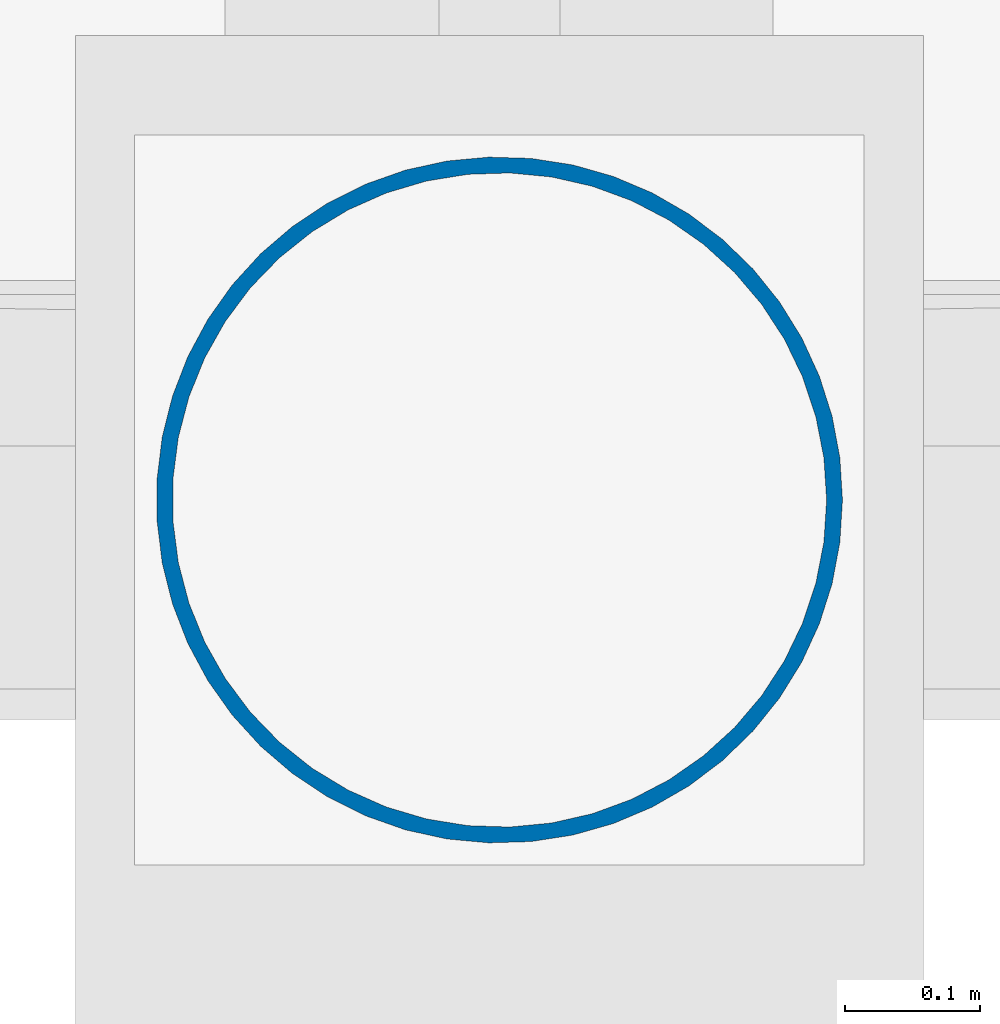
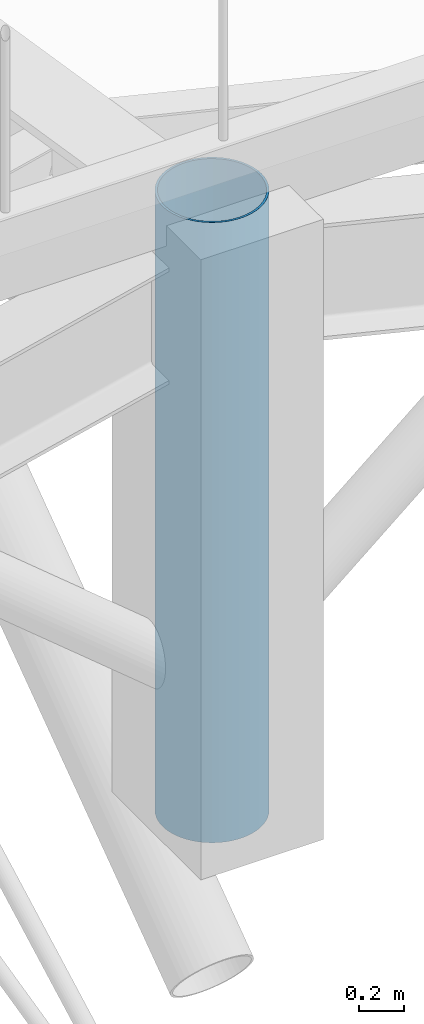
# One storey, part 2 of 43: 1 column.
"""IFC4 building model written with IfcOpenShell, lengths in metres."""

from ifc_helpers import new_model, si_unit, direction, frame, origin, origin_2d, place, context, subcontext, project, spatial, hollow_circle, extrude, material, material_profile, profile_set, type_object, element, save


model = new_model("IFC4")

# Units and contexts
model_context = context("Model", 3, precision=1e-05, world=origin(), true_north=direction((0.0, 1.0)))
body_context = subcontext(model_context, "Body", "Model", "MODEL_VIEW")
ifc_project = project(units=[si_unit("LENGTHUNIT", "METRE"), si_unit("AREAUNIT", "SQUARE_METRE"), si_unit("VOLUMEUNIT", "CUBIC_METRE"), si_unit("PLANEANGLEUNIT", "RADIAN"), si_unit("MASSUNIT", "GRAM", prefix="KILO")], contexts=[model_context])

# Site, building, storey
site_placement = place(None, origin())
site = spatial("IfcSite", under=ifc_project, at=site_placement, CompositionType="ELEMENT")
building_placement = place(site_placement, origin())
building = spatial("IfcBuilding", under=site, at=building_placement, Name="Caurita Quay Ferry Terminal", CompositionType="ELEMENT")
storey_placement = place(building_placement, frame((0.0, 0.0, 14.10009765625)))
storey = spatial("IfcBuildingStorey", under=building, at=storey_placement, Name="L03", CompositionType="ELEMENT", Elevation=14.10009765625)

# Column
ifc_material = material(Name="Hollow structural steel ASTM A500 Gr. C", Category="steel")
ifc_material_profile = material_profile(ifc_material, hollow_circle(Radius=0.25390625, WallThickness=0.01171875, at=origin_2d()), Name="HSS20.000X0.500")
ifc_profile_set = profile_set([ifc_material_profile], Name="Hollow structural steel ASTM A500 Gr. C")
column_type = type_object("IfcColumnType", Name="COL-MST-01", PredefinedType="COLUMN", material=ifc_profile_set)
column_placement = place(storey_placement, frame((55.0, 34.60009765625, 0.0), z_axis=(0.0, 0.0, 1.0), x_axis=(1.0, 0.0, 0.0)))
element("IfcColumn", 1, at=column_placement, inside=storey, type_object=column_type, Name="L03 Column V1-MST-06-S", PredefinedType="COLUMN", context=body_context, shape_type="SweptSolid", body=[
    extrude(hollow_circle(Radius=0.25390625, WallThickness=0.01171875, at=origin_2d()), origin(), (0.0, 0.0, 1.0), 3.35986328125),
])

save(model, "model.ifc")
